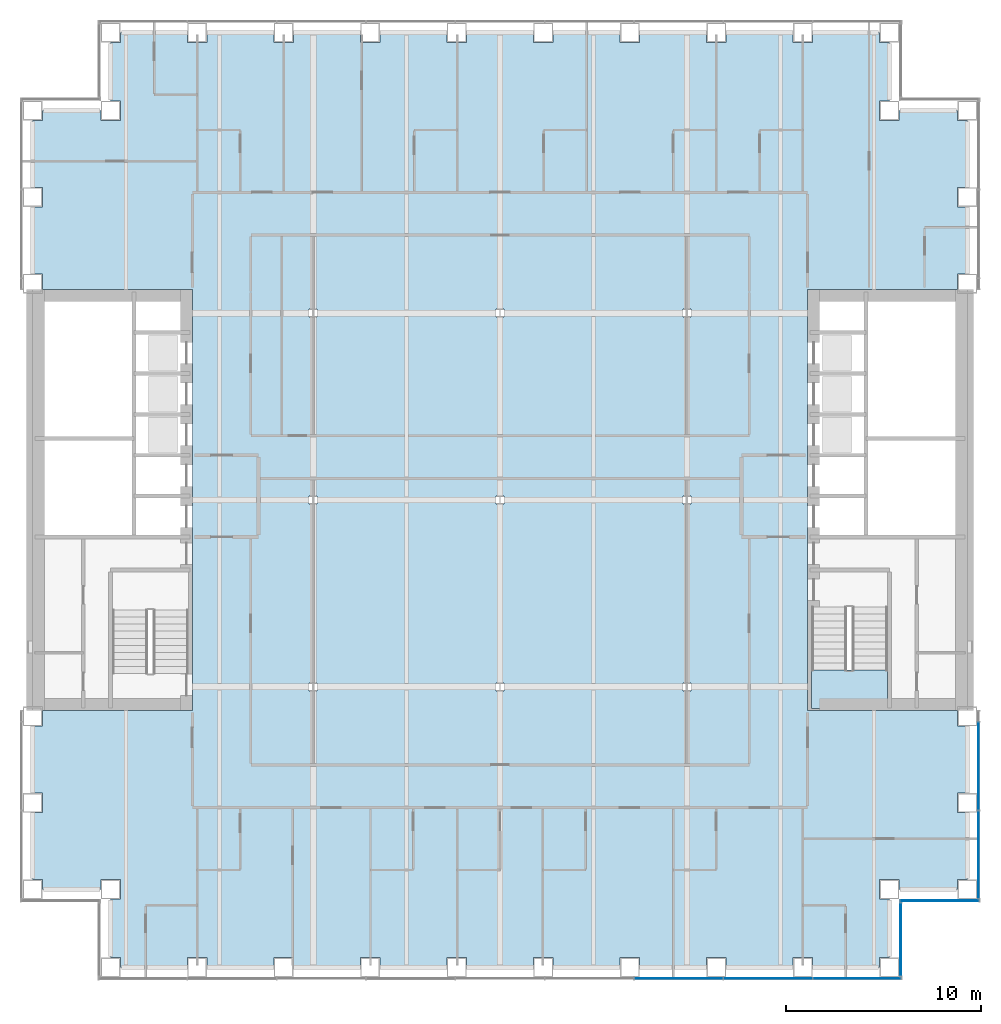
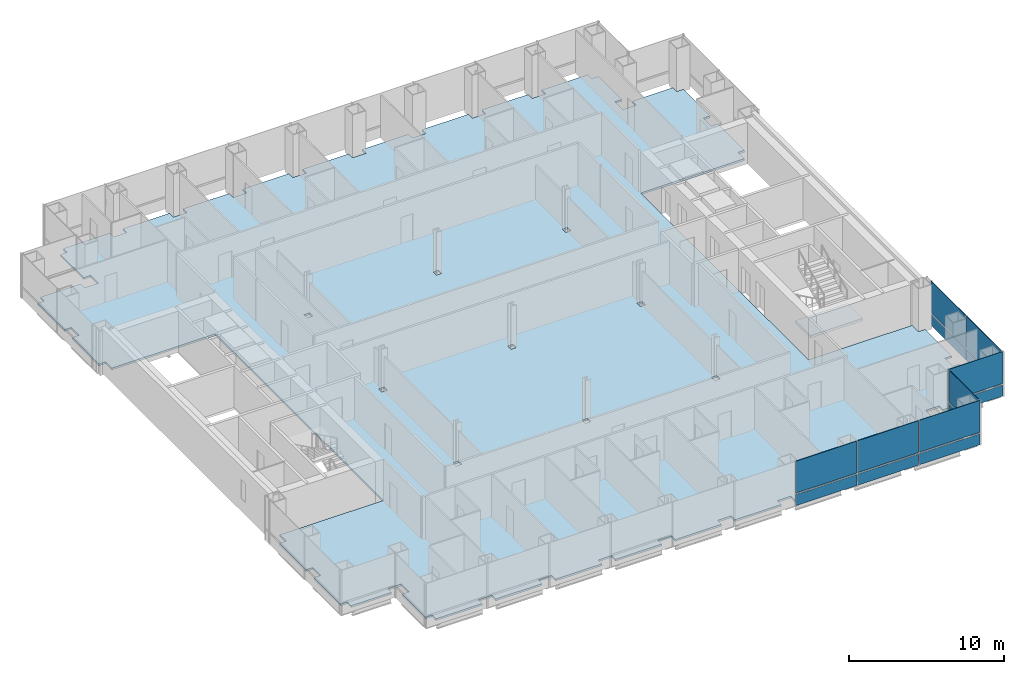
# One storey, part 13 of 21: 14 plates, 2 slabs, 5 elements without a shape of their own.
"""IFC4 building model written with IfcOpenShell, lengths in metres."""

from ifc_helpers import new_model, si_unit, direction, frame, origin, origin_2d, place, context, subcontext, project, spatial, polyline, rectangle, outline, extrude, material, layer, layer_set, type_object, element, aggregate, save


model = new_model("IFC4")

# Units and contexts
model_context = context("Model", 3, precision=1e-05, world=origin(), true_north=direction((0.0, 1.0)))
body_context = subcontext(model_context, "Body", "Model", "MODEL_VIEW")
ifc_project = project(units=[si_unit("LENGTHUNIT", "METRE"), si_unit("AREAUNIT", "SQUARE_METRE"), si_unit("VOLUMEUNIT", "CUBIC_METRE"), si_unit("PLANEANGLEUNIT", "RADIAN"), si_unit("MASSUNIT", "GRAM", prefix="KILO")], contexts=[model_context])

# Site, building, storey
site_placement = place(None, origin())
site = spatial("IfcSite", under=ifc_project, at=site_placement, CompositionType="ELEMENT")
building_placement = place(site_placement, origin())
building = spatial("IfcBuilding", under=site, at=building_placement, Name="Cobrizo Arcos Hotel Tower", CompositionType="ELEMENT")
storey_placement = place(building_placement, frame((0.0, 0.0, 42.5)))
storey = spatial("IfcBuildingStorey", under=building, at=storey_placement, Name="L08", CompositionType="ELEMENT", Elevation=42.5)

# Curtain wall, plates
ifc_material_1 = material(Name="Aluminium 6063-T6 anodised bronze", Category="aluminium")
curtain_wall_type = type_object("IfcCurtainWallType", Name="CW-A guest facade", PredefinedType="NOTDEFINED", material=ifc_material_1)
curtain_wall_1_placement = place(storey_placement, origin())
curtain_wall_1 = element("IfcCurtainWall", 1, at=curtain_wall_1_placement, inside=storey, type_object=curtain_wall_type, Name="CW-A L08 S face", PredefinedType="NOTDEFINED")
ifc_material_2 = material(Name="Glass clear laminated low-e", Category="glass")
ifc_layer_1 = layer(ifc_material_2, 0.0400390625)
ifc_layer_set_1 = layer_set([ifc_layer_1], Name="CW-A glass panel")
plate_type_1 = type_object("IfcPlateType", Name="CW-A glass panel", PredefinedType="CURTAIN_PANEL", material=ifc_layer_set_1)
plate_1_placement = place(storey_placement, frame((9.177734375, -24.574951171875, 0.990234375), z_axis=(0.0, 0.0, 1.0), x_axis=(1.0, 0.0, 0.0)))
plate_1 = element("IfcPlate", 2, at=plate_1_placement, type_object=plate_type_1, Name="CW-A glass panel 405", PredefinedType="CURTAIN_PANEL", context=body_context, shape_type="SweptSolid", body=[
    extrude(rectangle(XDim=4.52880859375, YDim=0.0400390625, at=origin_2d()), origin(), (0.0, 0.0, 1.0), 2.510009765625),
])
plate_2_placement = place(storey_placement, frame((13.7666015625, -24.574951171875, 0.990234375), z_axis=(0.0, 0.0, 1.0), x_axis=(1.0, 0.0, 0.0)))
plate_2 = element("IfcPlate", 3, at=plate_2_placement, type_object=plate_type_1, Name="CW-A glass panel 406", PredefinedType="CURTAIN_PANEL", context=body_context, shape_type="SweptSolid", body=[
    extrude(rectangle(XDim=4.52880859375, YDim=0.0400390625, at=origin_2d()), origin(), (0.0, 0.0, 1.0), 2.510009765625),
])
plate_3_placement = place(storey_placement, frame((18.340576171875, -24.574951171875, 0.990234375), z_axis=(0.0, 0.0, 1.0), x_axis=(1.0, 0.0, 0.0)))
plate_3 = element("IfcPlate", 4, at=plate_3_placement, type_object=plate_type_1, Name="CW-A glass panel 407", PredefinedType="CURTAIN_PANEL", context=body_context, shape_type="SweptSolid", body=[
    extrude(rectangle(XDim=4.498779296875, YDim=0.0400390625, at=origin_2d()), origin(), (0.0, 0.0, 1.0), 2.510009765625),
])

# Curtain wall, plate
curtain_wall_2_placement = place(storey_placement, origin())
curtain_wall_2 = element("IfcCurtainWall", 5, at=curtain_wall_2_placement, inside=storey, type_object=curtain_wall_type, Name="CW-A L08 E face", PredefinedType="NOTDEFINED")
plate_4_placement = place(storey_placement, frame((20.574951171875, -22.574951171875, 0.990234375), z_axis=(0.0, 0.0, 1.0), x_axis=(0.0, 1.0, 0.0)))
plate_4 = element("IfcPlate", 6, at=plate_4_placement, type_object=plate_type_1, Name="CW-A glass panel 408", PredefinedType="CURTAIN_PANEL", context=body_context, shape_type="SweptSolid", body=[
    extrude(rectangle(XDim=3.72998046875, YDim=0.0400390625, at=origin_2d()), origin(), (0.0, 0.0, 1.0), 2.510009765625),
])

curtain_wall_3_placement = place(storey_placement, origin())
curtain_wall_3 = element("IfcCurtainWall", 7, at=curtain_wall_3_placement, inside=storey, type_object=curtain_wall_type, Name="CW-A L08 S face", PredefinedType="NOTDEFINED")
plate_5_placement = place(storey_placement, frame((22.574951171875, -20.574951171875, 0.990234375), z_axis=(0.0, 0.0, 1.0), x_axis=(1.0, 0.0, 0.0)))
plate_5 = element("IfcPlate", 8, at=plate_5_placement, type_object=plate_type_1, Name="CW-A glass panel 409", PredefinedType="CURTAIN_PANEL", context=body_context, shape_type="SweptSolid", body=[
    extrude(rectangle(XDim=4.030029296875, YDim=0.0400390625, at=origin_2d()), origin(), (0.0, 0.0, 1.0), 2.510009765625),
])

# Curtain wall, plates
curtain_wall_4_placement = place(storey_placement, origin())
curtain_wall_4 = element("IfcCurtainWall", 9, at=curtain_wall_4_placement, inside=storey, type_object=curtain_wall_type, Name="CW-A L08 E face", PredefinedType="NOTDEFINED")
plate_6_placement = place(storey_placement, frame((24.574951171875, -18.207275390625, 0.990234375), z_axis=(0.0, 0.0, 1.0), x_axis=(0.0, 1.0, 0.0)))
plate_6 = element("IfcPlate", 10, at=plate_6_placement, type_object=plate_type_1, Name="CW-A glass panel 410", PredefinedType="CURTAIN_PANEL", context=body_context, shape_type="SweptSolid", body=[
    extrude(rectangle(XDim=4.465576171875, YDim=0.0400390625, at=origin_2d()), origin(), (0.0, 0.0, 1.0), 2.510009765625),
])
plate_7_placement = place(storey_placement, frame((24.574951171875, -13.666748046875, 0.990234375), z_axis=(0.0, 0.0, 1.0), x_axis=(0.0, 1.0, 0.0)))
plate_7 = element("IfcPlate", 11, at=plate_7_placement, type_object=plate_type_1, Name="CW-A glass panel 411", PredefinedType="CURTAIN_PANEL", context=body_context, shape_type="SweptSolid", body=[
    extrude(rectangle(XDim=4.49560546875, YDim=0.0400390625, at=origin_2d()), origin(), (0.0, 0.0, 1.0), 2.510009765625),
])

# Plate
ifc_material_3 = material(Name="Aluminium composite panel pale metal", Category="aluminium")
ifc_layer_2 = layer(ifc_material_3, 0.0400390625)
ifc_layer_set_2 = layer_set([ifc_layer_2], Name="CW-A spandrel panel")
plate_type_2 = type_object("IfcPlateType", Name="CW-A spandrel panel", PredefinedType="CURTAIN_PANEL", material=ifc_layer_set_2)
plate_8_placement = place(storey_placement, frame((9.177734375, -24.574951171875, 0.0), z_axis=(0.0, 0.0, 1.0), x_axis=(1.0, 0.0, 0.0)))
plate_8 = element("IfcPlate", 12, at=plate_8_placement, type_object=plate_type_2, Name="CW-A spandrel panel 405", PredefinedType="CURTAIN_PANEL", context=body_context, shape_type="SweptSolid", body=[
    extrude(rectangle(XDim=4.52880859375, YDim=0.0400390625, at=origin_2d()), origin(), (0.0, 0.0, 1.0), 0.8701171875),
])

plate_9_placement = place(storey_placement, frame((13.7666015625, -24.574951171875, 0.0), z_axis=(0.0, 0.0, 1.0), x_axis=(1.0, 0.0, 0.0)))
plate_9 = element("IfcPlate", 13, at=plate_9_placement, type_object=plate_type_2, Name="CW-A spandrel panel 406", PredefinedType="CURTAIN_PANEL", context=body_context, shape_type="SweptSolid", body=[
    extrude(rectangle(XDim=4.52880859375, YDim=0.0400390625, at=origin_2d()), origin(), (0.0, 0.0, 1.0), 0.8701171875),
])

plate_10_placement = place(storey_placement, frame((18.340576171875, -24.574951171875, 0.0), z_axis=(0.0, 0.0, 1.0), x_axis=(1.0, 0.0, 0.0)))
plate_10 = element("IfcPlate", 14, at=plate_10_placement, type_object=plate_type_2, Name="CW-A spandrel panel 407", PredefinedType="CURTAIN_PANEL", context=body_context, shape_type="SweptSolid", body=[
    extrude(rectangle(XDim=4.498779296875, YDim=0.0400390625, at=origin_2d()), origin(), (0.0, 0.0, 1.0), 0.8701171875),
])

aggregate(curtain_wall_1, [plate_8, plate_1, plate_9, plate_2, plate_10, plate_3])

plate_11_placement = place(storey_placement, frame((20.574951171875, -22.574951171875, 0.0), z_axis=(0.0, 0.0, 1.0), x_axis=(0.0, 1.0, 0.0)))
plate_11 = element("IfcPlate", 15, at=plate_11_placement, type_object=plate_type_2, Name="CW-A spandrel panel 408", PredefinedType="CURTAIN_PANEL", context=body_context, shape_type="SweptSolid", body=[
    extrude(rectangle(XDim=3.72998046875, YDim=0.0400390625, at=origin_2d()), origin(), (0.0, 0.0, 1.0), 0.8701171875),
])

aggregate(curtain_wall_2, [plate_11, plate_4])

plate_12_placement = place(storey_placement, frame((22.574951171875, -20.574951171875, 0.0), z_axis=(0.0, 0.0, 1.0), x_axis=(1.0, 0.0, 0.0)))
plate_12 = element("IfcPlate", 16, at=plate_12_placement, type_object=plate_type_2, Name="CW-A spandrel panel 409", PredefinedType="CURTAIN_PANEL", context=body_context, shape_type="SweptSolid", body=[
    extrude(rectangle(XDim=4.030029296875, YDim=0.0400390625, at=origin_2d()), origin(), (0.0, 0.0, 1.0), 0.8701171875),
])

aggregate(curtain_wall_3, [plate_12, plate_5])

plate_13_placement = place(storey_placement, frame((24.574951171875, -18.207275390625, 0.0), z_axis=(0.0, 0.0, 1.0), x_axis=(0.0, 1.0, 0.0)))
plate_13 = element("IfcPlate", 17, at=plate_13_placement, type_object=plate_type_2, Name="CW-A spandrel panel 410", PredefinedType="CURTAIN_PANEL", context=body_context, shape_type="SweptSolid", body=[
    extrude(rectangle(XDim=4.465576171875, YDim=0.0400390625, at=origin_2d()), origin(), (0.0, 0.0, 1.0), 0.8701171875),
])

plate_14_placement = place(storey_placement, frame((24.574951171875, -13.666748046875, 0.0), z_axis=(0.0, 0.0, 1.0), x_axis=(0.0, 1.0, 0.0)))
plate_14 = element("IfcPlate", 18, at=plate_14_placement, type_object=plate_type_2, Name="CW-A spandrel panel 411", PredefinedType="CURTAIN_PANEL", context=body_context, shape_type="SweptSolid", body=[
    extrude(rectangle(XDim=4.49560546875, YDim=0.0400390625, at=origin_2d()), origin(), (0.0, 0.0, 1.0), 0.8701171875),
])

aggregate(curtain_wall_4, [plate_13, plate_6, plate_14, plate_7])

# Slab
ifc_material_4 = material(Name="Concrete f'c 35 MPa", Category="concrete")
ifc_layer_3 = layer(ifc_material_4, 0.14990234375)
ifc_layer_set_3 = layer_set([ifc_layer_3], Name="Composite floor slab 150 f'c 35")
slab_type_1 = type_object("IfcSlabType", Name="Composite floor slab 150 f'c 35", PredefinedType="FLOOR", material=ifc_layer_set_3)
slab_1_placement = place(storey_placement, frame((0.0, 0.0, -0.14990234375)))
element("IfcSlab", 19, at=slab_1_placement, inside=storey, type_object=slab_type_1, Name="Floor slab S5, L08, no. 01", PredefinedType="FLOOR", context=body_context, shape_type="SweptSolid", body=[
    extrude(outline(polyline([(-19.5, -24.0), (-19.5, -23.5), (-20.0, -23.5), (-20.0, -20.5), (-19.5, -20.5), (-19.5, -19.5), (-20.5, -19.5), (-20.5, -20.0), (-23.5, -20.0), (-23.5, -19.5), (-24.0, -19.5), (-24.0, -16.055908203125), (-23.5, -16.055908203125), (-23.5, -15.055908203125), (-24.0, -15.055908203125), (-24.0, -11.611083984375), (-23.5, -11.611083984375), (-23.5, -10.800048828125), (-15.800048828125, -10.800048828125), (-15.800048828125, 10.800048828125), (-23.5, 10.800048828125), (-23.5, 11.611083984375), (-24.0, 11.611083984375), (-24.0, 15.055908203125), (-23.5, 15.055908203125), (-23.5, 16.055908203125), (-24.0, 16.055908203125), (-24.0, 19.5), (-23.5, 19.5), (-23.5, 20.0), (-20.5, 20.0), (-20.5, 19.5), (-19.5, 19.5), (-19.5, 20.5), (-20.0, 20.5), (-20.0, 23.5), (-19.5, 23.5), (-19.5, 24.0), (-16.055908203125, 24.0), (-16.055908203125, 23.5), (-15.055908203125, 23.5), (-15.055908203125, 24.0), (-11.611083984375, 24.0), (-11.611083984375, 23.5), (-10.611083984375, 23.5), (-10.611083984375, 24.0), (-7.1669921875, 24.0), (-7.1669921875, 23.5), (-6.1669921875, 23.5), (-6.1669921875, 24.0), (-2.721923828125, 24.0), (-2.721923828125, 23.5), (-1.721923828125, 23.5), (-1.721923828125, 24.0), (1.721923828125, 24.0), (1.721923828125, 23.5), (2.721923828125, 23.5), (2.721923828125, 24.0), (6.1669921875, 24.0), (6.1669921875, 23.5), (7.1669921875, 23.5), (7.1669921875, 24.0), (10.611083984375, 24.0), (10.611083984375, 23.5), (11.611083984375, 23.5), (11.611083984375, 24.0), (15.055908203125, 24.0), (15.055908203125, 23.5), (16.055908203125, 23.5), (16.055908203125, 24.0), (19.5, 24.0), (19.5, 23.5), (20.0, 23.5), (20.0, 20.5), (19.5, 20.5), (19.5, 19.5), (20.5, 19.5), (20.5, 20.0), (23.5, 20.0), (23.5, 19.5), (24.0, 19.5), (24.0, 16.055908203125), (23.5, 16.055908203125), (23.5, 15.055908203125), (24.0, 15.055908203125), (24.0, 11.611083984375), (23.5, 11.611083984375), (23.5, 10.800048828125), (15.800048828125, 10.800048828125), (15.800048828125, -10.800048828125), (23.5, -10.800048828125), (23.5, -11.611083984375), (24.0, -11.611083984375), (24.0, -15.055908203125), (23.5, -15.055908203125), (23.5, -16.055908203125), (24.0, -16.055908203125), (24.0, -19.5), (23.5, -19.5), (23.5, -20.0), (20.5, -20.0), (20.5, -19.5), (19.5, -19.5), (19.5, -20.5), (20.0, -20.5), (20.0, -23.5), (19.5, -23.5), (19.5, -24.0), (16.055908203125, -24.0), (16.055908203125, -23.5), (15.055908203125, -23.5), (15.055908203125, -24.0), (11.611083984375, -24.0), (11.611083984375, -23.5), (10.611083984375, -23.5), (10.611083984375, -24.0), (7.1669921875, -24.0), (7.1669921875, -23.5), (6.1669921875, -23.5), (6.1669921875, -24.0), (2.721923828125, -24.0), (2.721923828125, -23.5), (1.721923828125, -23.5), (1.721923828125, -24.0), (-1.721923828125, -24.0), (-1.721923828125, -23.5), (-2.721923828125, -23.5), (-2.721923828125, -24.0), (-6.1669921875, -24.0), (-6.1669921875, -23.5), (-7.1669921875, -23.5), (-7.1669921875, -24.0), (-10.611083984375, -24.0), (-10.611083984375, -23.5), (-11.611083984375, -23.5), (-11.611083984375, -24.0), (-15.055908203125, -24.0), (-15.055908203125, -23.5), (-16.055908203125, -23.5), (-16.055908203125, -24.0), (-19.5, -24.0)]), holes=[polyline([(-9.3955078125, 9.3955078125), (-9.3955078125, 9.804443359375), (-9.804443359375, 9.804443359375), (-9.804443359375, 9.3955078125), (-9.3955078125, 9.3955078125)]), polyline([(-9.3955078125, -9.804443359375), (-9.3955078125, -9.3955078125), (-9.804443359375, -9.3955078125), (-9.804443359375, -9.804443359375), (-9.3955078125, -9.804443359375)]), polyline([(-0.204345703125, -9.804443359375), (0.204345703125, -9.804443359375), (0.204345703125, -9.3955078125), (-0.204345703125, -9.3955078125), (-0.204345703125, -9.804443359375)]), polyline([(9.3955078125, -9.804443359375), (9.804443359375, -9.804443359375), (9.804443359375, -9.3955078125), (9.3955078125, -9.3955078125), (9.3955078125, -9.804443359375)]), polyline([(-9.3955078125, -0.204345703125), (-9.3955078125, 0.204345703125), (-9.804443359375, 0.204345703125), (-9.804443359375, -0.204345703125), (-9.3955078125, -0.204345703125)]), polyline([(-0.204345703125, -0.204345703125), (0.204345703125, -0.204345703125), (0.204345703125, 0.204345703125), (-0.204345703125, 0.204345703125), (-0.204345703125, -0.204345703125)]), polyline([(9.3955078125, -0.204345703125), (9.804443359375, -0.204345703125), (9.804443359375, 0.204345703125), (9.3955078125, 0.204345703125), (9.3955078125, -0.204345703125)]), polyline([(0.204345703125, 9.3955078125), (0.204345703125, 9.804443359375), (-0.204345703125, 9.804443359375), (-0.204345703125, 9.3955078125), (0.204345703125, 9.3955078125)]), polyline([(9.3955078125, 9.3955078125), (9.804443359375, 9.3955078125), (9.804443359375, 9.804443359375), (9.3955078125, 9.804443359375), (9.3955078125, 9.3955078125)])]), origin(), (0.0, 0.0, 1.0), 0.14990234375),
])

# Stair, slab
ifc_material_5 = material(Name="Concrete f'c 40 MPa", Category="concrete")
stair_type = type_object("IfcStairType", Name="Exit stair", PredefinedType="HALF_TURN_STAIR", material=ifc_material_5)
stair_placement = place(storey_placement, origin())
stair = element("IfcStair", 20, at=stair_placement, inside=storey, type_object=stair_type, Name="L08 Exit stair ST-E", PredefinedType="HALF_TURN_STAIR")
ifc_layer_4 = layer(ifc_material_5, 0.199951171875)
ifc_layer_set_4 = layer_set([ifc_layer_4], Name="Stair landing")
slab_type_2 = type_object("IfcSlabType", Name="Stair landing", PredefinedType="LANDING", material=ifc_layer_set_4)
slab_2_placement = place(storey_placement, frame((0.0, 0.0, 1.550048828125)))
slab_2 = element("IfcSlab", 21, at=slab_2_placement, type_object=slab_type_2, Name="ST-E landing 1", PredefinedType="LANDING", context=body_context, shape_type="SweptSolid", body=[
    extrude(outline(polyline([(16.0, -8.739990234375), (16.0, -10.699951171875), (19.89990234375, -10.699951171875), (19.89990234375, -8.739990234375), (16.0, -8.739990234375)])), origin(), (0.0, 0.0, 1.0), 0.199951171875),
])
aggregate(stair, [slab_2])

save(model, "model.ifc")
